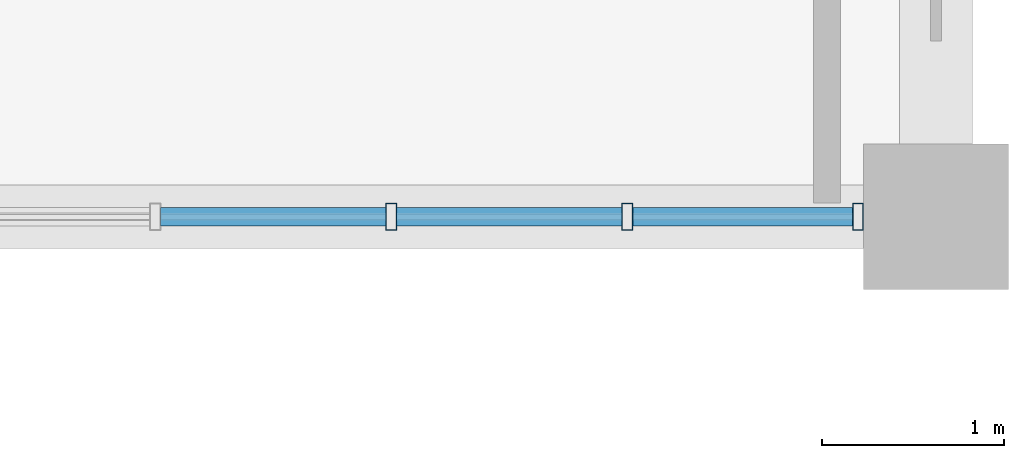
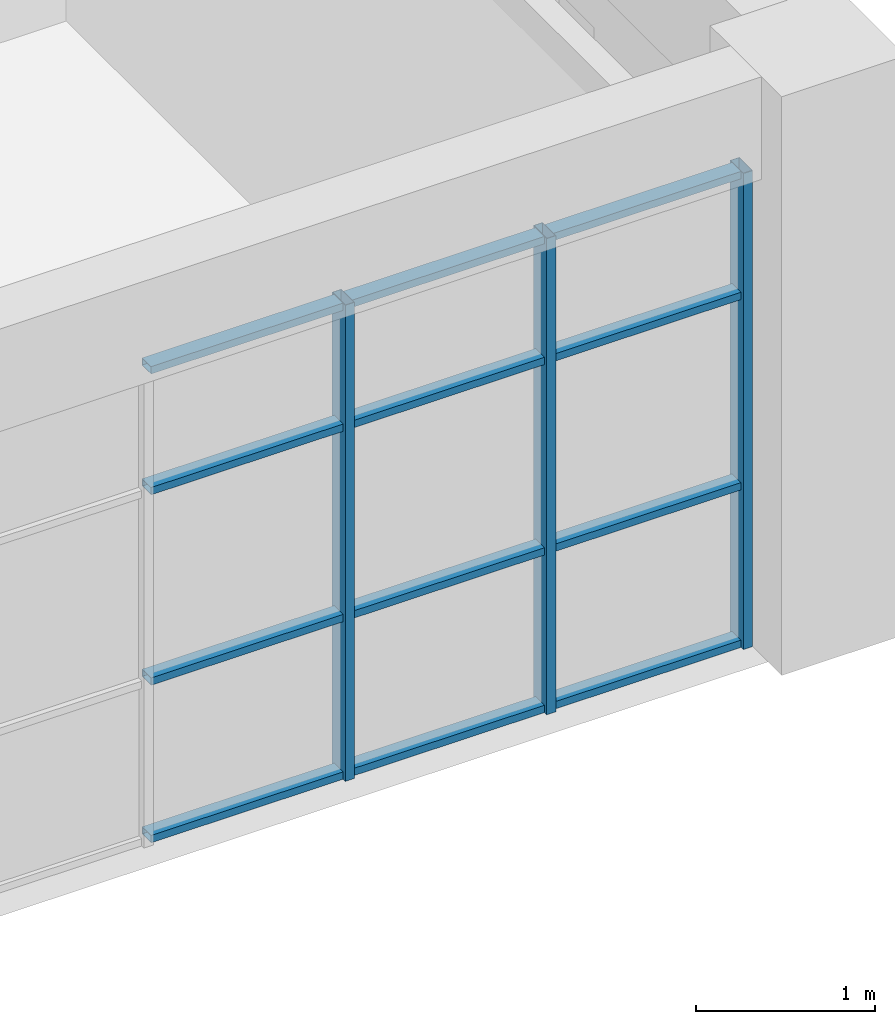
# One storey, part 16 of 51: 15 members, 1 element without a shape of its own.
"""IFC4 building model written with IfcOpenShell, lengths in metres."""

from ifc_helpers import new_model, si_unit, direction, frame, origin, origin_2d, place, context, subcontext, project, spatial, hollow_rectangle, extrude, material, material_profile, profile_set, type_object, element, aggregate, save


model = new_model("IFC4")

# Units and contexts
model_context = context("Model", 3, precision=1e-05, world=origin(), true_north=direction((0.0, 1.0)))
body_context = subcontext(model_context, "Body", "Model", "MODEL_VIEW")
ifc_project = project(units=[si_unit("LENGTHUNIT", "METRE"), si_unit("AREAUNIT", "SQUARE_METRE"), si_unit("VOLUMEUNIT", "CUBIC_METRE"), si_unit("PLANEANGLEUNIT", "RADIAN"), si_unit("MASSUNIT", "GRAM", prefix="KILO")], contexts=[model_context])

# Site, building, storey
site_placement = place(None, origin())
site = spatial("IfcSite", under=ifc_project, at=site_placement, CompositionType="ELEMENT")
building_placement = place(site_placement, origin())
building = spatial("IfcBuilding", under=site, at=building_placement, Name="Laocheng Heights Fire and Rescue Headquarters", CompositionType="ELEMENT")
storey_placement = place(building_placement, frame((0.0, 0.0, 21.0)))
storey = spatial("IfcBuildingStorey", under=building, at=storey_placement, Name="L05", CompositionType="ELEMENT", Elevation=21.0)

# Curtain wall, members
ifc_material_1 = material(Name="Dark anodised aluminium unitised curtain wall, low-e double glazing", Category="aluminium")
curtain_wall_type = type_object("IfcCurtainWallType", Name="CW 5200 x 3250 HQ SOUTH RIBBON", PredefinedType="NOTDEFINED", material=ifc_material_1)
curtain_wall_placement = place(storey_placement, origin())
curtain_wall = element("IfcCurtainWall", 1, at=curtain_wall_placement, inside=storey, type_object=curtain_wall_type, Name="X16-X HQ SOUTH L05", PredefinedType="NOTDEFINED")
ifc_material_2 = material(Name="Dark anodised aluminium 6063-T5 extrusion", Category="aluminium")
ifc_material_profile_1 = material_profile(ifc_material_2, hollow_rectangle(XDim=0.14990234375, YDim=0.06005859375, WallThickness=0.0029296875, at=origin_2d()), Name="AL MULLION 150x60x3 HQ SOUTH RIBBON")
ifc_profile_set_1 = profile_set([ifc_material_profile_1], Name="Dark anodised aluminium 6063-T5 extrusion")
member_type_1 = type_object("IfcMemberType", Name="AL MULLION 150x60x3 HQ SOUTH RIBBON", PredefinedType="MULLION", material=ifc_profile_set_1)
member_1_placement = place(storey_placement, frame((81.0, 50.39990234375, 0.0), z_axis=(0.0, 0.0, 1.0), x_axis=(0.0, 1.0, 0.0)))
member_1 = element("IfcMember", 2, at=member_1_placement, type_object=member_type_1, Name="X16-X mullion 3", PredefinedType="MULLION", context=body_context, shape_type="SweptSolid", body=[
    extrude(hollow_rectangle(XDim=0.14990234375, YDim=0.06005859375, WallThickness=0.0029296875, at=origin_2d()), origin(), (0.0, 0.0, 1.0), 3.25),
])
member_2_placement = place(storey_placement, frame((82.300048828125, 50.39990234375, 0.0), z_axis=(0.0, 0.0, 1.0), x_axis=(0.0, 1.0, 0.0)))
member_2 = element("IfcMember", 3, at=member_2_placement, type_object=member_type_1, Name="X16-X mullion 4", PredefinedType="MULLION", context=body_context, shape_type="SweptSolid", body=[
    extrude(hollow_rectangle(XDim=0.14990234375, YDim=0.06005859375, WallThickness=0.0029296875, at=origin_2d()), origin(), (0.0, 0.0, 1.0), 3.25),
])
member_3_placement = place(storey_placement, frame((83.570068359375, 50.39990234375, 0.0), z_axis=(0.0, 0.0, 1.0), x_axis=(0.0, 1.0, 0.0)))
member_3 = element("IfcMember", 4, at=member_3_placement, type_object=member_type_1, Name="X16-X mullion 5", PredefinedType="MULLION", context=body_context, shape_type="SweptSolid", body=[
    extrude(hollow_rectangle(XDim=0.14990234375, YDim=0.06005859375, WallThickness=0.0029296875, at=origin_2d()), origin(), (0.0, 0.0, 1.0), 3.25),
])
ifc_material_3 = material(Name="Dark anodised aluminium 6063-T5 extrusion", Category="aluminium")
ifc_material_profile_2 = material_profile(ifc_material_3, hollow_rectangle(XDim=0.10009765625, YDim=0.050048828125, WallThickness=0.0029296875, at=origin_2d()), Name="AL TRANSOM 100x50x3 HQ SOUTH RIBBON")
ifc_profile_set_2 = profile_set([ifc_material_profile_2], Name="Dark anodised aluminium 6063-T5 extrusion")
member_type_2 = type_object("IfcMemberType", Name="AL TRANSOM 100x50x3 HQ SOUTH RIBBON", PredefinedType="USERDEFINED", material=ifc_profile_set_2)
member_4_placement = place(storey_placement, frame((79.72998046875, 50.39990234375, 0.02490234375), z_axis=(1.0, 0.0, 0.0), x_axis=(0.0, 1.0, 0.0)))
member_4 = element("IfcMember", 5, at=member_4_placement, type_object=member_type_2, Name="X16-X transom 2.1", ObjectType="TRANSOM", PredefinedType="USERDEFINED", context=body_context, shape_type="SweptSolid", body=[
    extrude(hollow_rectangle(XDim=0.10009765625, YDim=0.050048828125, WallThickness=0.0029296875, at=origin_2d()), origin(), (0.0, 0.0, 1.0), 1.239990234375),
])
member_5_placement = place(storey_placement, frame((79.72998046875, 50.39990234375, 1.10009765625), z_axis=(1.0, 0.0, 0.0), x_axis=(0.0, 1.0, 0.0)))
member_5 = element("IfcMember", 6, at=member_5_placement, type_object=member_type_2, Name="X16-X transom 2.2", ObjectType="TRANSOM", PredefinedType="USERDEFINED", context=body_context, shape_type="SweptSolid", body=[
    extrude(hollow_rectangle(XDim=0.10009765625, YDim=0.050048828125, WallThickness=0.0029296875, at=origin_2d()), origin(), (0.0, 0.0, 1.0), 1.239990234375),
])
member_6_placement = place(storey_placement, frame((79.72998046875, 50.39990234375, 2.39990234375), z_axis=(1.0, 0.0, 0.0), x_axis=(0.0, 1.0, 0.0)))
member_6 = element("IfcMember", 7, at=member_6_placement, type_object=member_type_2, Name="X16-X transom 2.3", ObjectType="TRANSOM", PredefinedType="USERDEFINED", context=body_context, shape_type="SweptSolid", body=[
    extrude(hollow_rectangle(XDim=0.10009765625, YDim=0.050048828125, WallThickness=0.0029296875, at=origin_2d()), origin(), (0.0, 0.0, 1.0), 1.239990234375),
])
member_7_placement = place(storey_placement, frame((79.72998046875, 50.39990234375, 3.22509765625), z_axis=(1.0, 0.0, 0.0), x_axis=(0.0, 1.0, 0.0)))
member_7 = element("IfcMember", 8, at=member_7_placement, type_object=member_type_2, Name="X16-X transom 2.4", ObjectType="TRANSOM", PredefinedType="USERDEFINED", context=body_context, shape_type="SweptSolid", body=[
    extrude(hollow_rectangle(XDim=0.10009765625, YDim=0.050048828125, WallThickness=0.0029296875, at=origin_2d()), origin(), (0.0, 0.0, 1.0), 1.239990234375),
])
member_8_placement = place(storey_placement, frame((81.030029296875, 50.39990234375, 0.02490234375), z_axis=(1.0, 0.0, 0.0), x_axis=(0.0, 1.0, 0.0)))
member_8 = element("IfcMember", 9, at=member_8_placement, type_object=member_type_2, Name="X16-X transom 3.1", ObjectType="TRANSOM", PredefinedType="USERDEFINED", context=body_context, shape_type="SweptSolid", body=[
    extrude(hollow_rectangle(XDim=0.10009765625, YDim=0.050048828125, WallThickness=0.0029296875, at=origin_2d()), origin(), (0.0, 0.0, 1.0), 1.239990234375),
])
member_9_placement = place(storey_placement, frame((81.030029296875, 50.39990234375, 1.10009765625), z_axis=(1.0, 0.0, 0.0), x_axis=(0.0, 1.0, 0.0)))
member_9 = element("IfcMember", 10, at=member_9_placement, type_object=member_type_2, Name="X16-X transom 3.2", ObjectType="TRANSOM", PredefinedType="USERDEFINED", context=body_context, shape_type="SweptSolid", body=[
    extrude(hollow_rectangle(XDim=0.10009765625, YDim=0.050048828125, WallThickness=0.0029296875, at=origin_2d()), origin(), (0.0, 0.0, 1.0), 1.239990234375),
])
member_10_placement = place(storey_placement, frame((81.030029296875, 50.39990234375, 2.39990234375), z_axis=(1.0, 0.0, 0.0), x_axis=(0.0, 1.0, 0.0)))
member_10 = element("IfcMember", 11, at=member_10_placement, type_object=member_type_2, Name="X16-X transom 3.3", ObjectType="TRANSOM", PredefinedType="USERDEFINED", context=body_context, shape_type="SweptSolid", body=[
    extrude(hollow_rectangle(XDim=0.10009765625, YDim=0.050048828125, WallThickness=0.0029296875, at=origin_2d()), origin(), (0.0, 0.0, 1.0), 1.239990234375),
])
member_11_placement = place(storey_placement, frame((81.030029296875, 50.39990234375, 3.22509765625), z_axis=(1.0, 0.0, 0.0), x_axis=(0.0, 1.0, 0.0)))
member_11 = element("IfcMember", 12, at=member_11_placement, type_object=member_type_2, Name="X16-X transom 3.4", ObjectType="TRANSOM", PredefinedType="USERDEFINED", context=body_context, shape_type="SweptSolid", body=[
    extrude(hollow_rectangle(XDim=0.10009765625, YDim=0.050048828125, WallThickness=0.0029296875, at=origin_2d()), origin(), (0.0, 0.0, 1.0), 1.239990234375),
])
member_12_placement = place(storey_placement, frame((82.330078125, 50.39990234375, 0.02490234375), z_axis=(1.0, 0.0, 0.0), x_axis=(0.0, 1.0, 0.0)))
member_12 = element("IfcMember", 13, at=member_12_placement, type_object=member_type_2, Name="X16-X transom 4.1", ObjectType="TRANSOM", PredefinedType="USERDEFINED", context=body_context, shape_type="SweptSolid", body=[
    extrude(hollow_rectangle(XDim=0.10009765625, YDim=0.050048828125, WallThickness=0.0029296875, at=origin_2d()), origin(), (0.0, 0.0, 1.0), 1.2099609375),
])
member_13_placement = place(storey_placement, frame((82.330078125, 50.39990234375, 1.10009765625), z_axis=(1.0, 0.0, 0.0), x_axis=(0.0, 1.0, 0.0)))
member_13 = element("IfcMember", 14, at=member_13_placement, type_object=member_type_2, Name="X16-X transom 4.2", ObjectType="TRANSOM", PredefinedType="USERDEFINED", context=body_context, shape_type="SweptSolid", body=[
    extrude(hollow_rectangle(XDim=0.10009765625, YDim=0.050048828125, WallThickness=0.0029296875, at=origin_2d()), origin(), (0.0, 0.0, 1.0), 1.2099609375),
])
member_14_placement = place(storey_placement, frame((82.330078125, 50.39990234375, 2.39990234375), z_axis=(1.0, 0.0, 0.0), x_axis=(0.0, 1.0, 0.0)))
member_14 = element("IfcMember", 15, at=member_14_placement, type_object=member_type_2, Name="X16-X transom 4.3", ObjectType="TRANSOM", PredefinedType="USERDEFINED", context=body_context, shape_type="SweptSolid", body=[
    extrude(hollow_rectangle(XDim=0.10009765625, YDim=0.050048828125, WallThickness=0.0029296875, at=origin_2d()), origin(), (0.0, 0.0, 1.0), 1.2099609375),
])
member_15_placement = place(storey_placement, frame((82.330078125, 50.39990234375, 3.22509765625), z_axis=(1.0, 0.0, 0.0), x_axis=(0.0, 1.0, 0.0)))
member_15 = element("IfcMember", 16, at=member_15_placement, type_object=member_type_2, Name="X16-X transom 4.4", ObjectType="TRANSOM", PredefinedType="USERDEFINED", context=body_context, shape_type="SweptSolid", body=[
    extrude(hollow_rectangle(XDim=0.10009765625, YDim=0.050048828125, WallThickness=0.0029296875, at=origin_2d()), origin(), (0.0, 0.0, 1.0), 1.2099609375),
])
aggregate(curtain_wall, [member_1, member_2, member_3, member_4, member_5, member_6, member_7, member_8, member_9, member_10, member_11, member_12, member_13, member_14, member_15])

save(model, "model.ifc")
